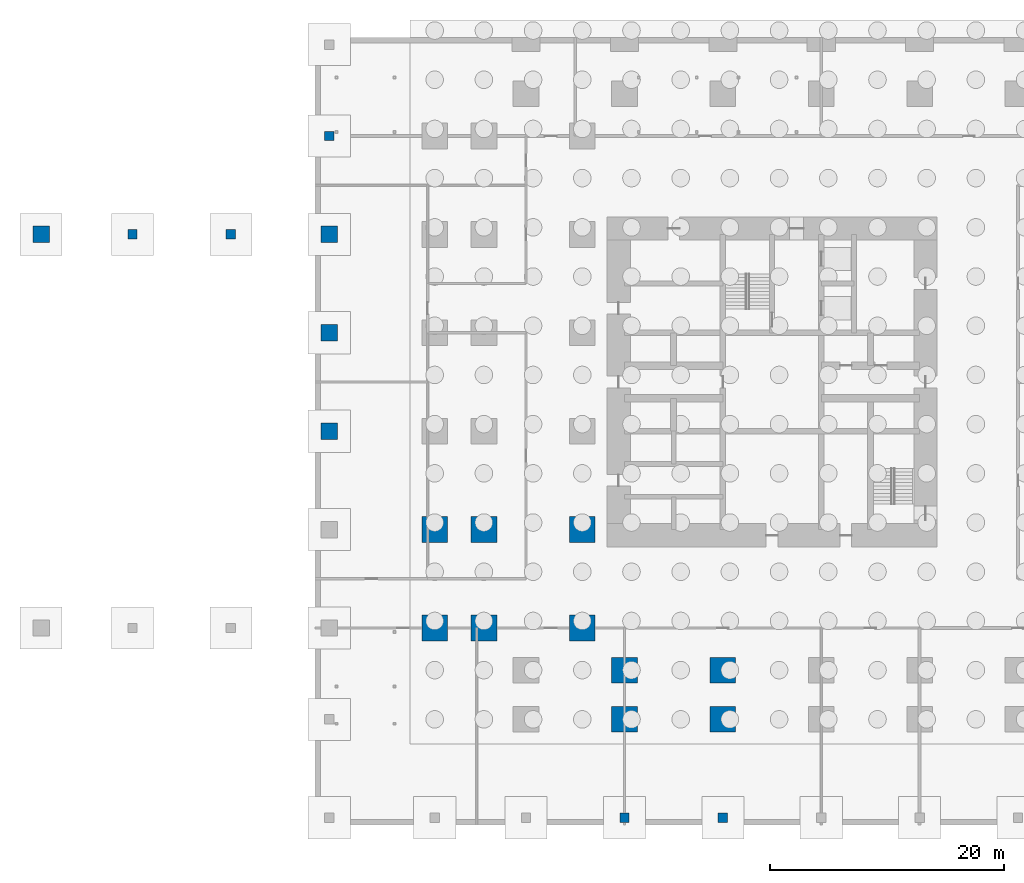
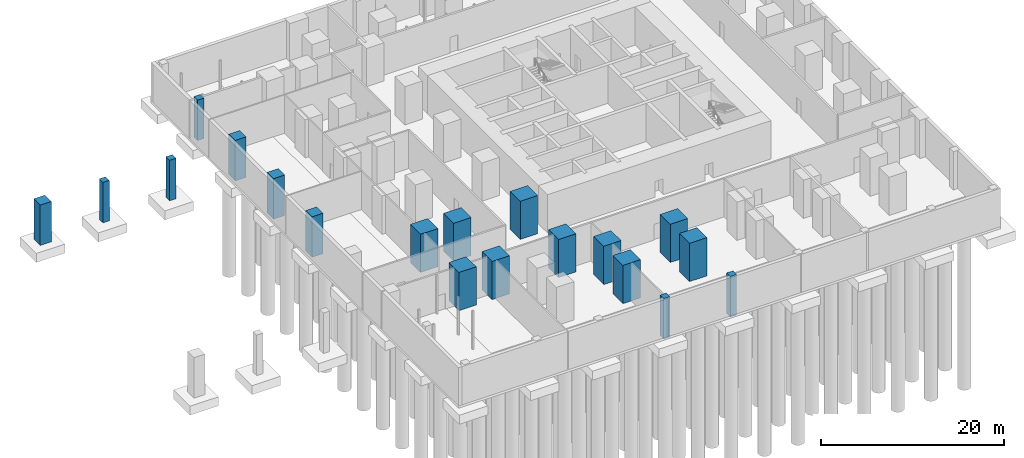
# One storey, part 5 of 18: 19 columns.
"""IFC4 building model written with IfcOpenShell, lengths in metres."""

from ifc_helpers import new_model, si_unit, direction, frame, origin, origin_2d, place, context, subcontext, project, spatial, rectangle, extrude, material, material_profile, profile_set, type_object, element, save


model = new_model("IFC4")

# Units and contexts
model_context = context("Model", 3, precision=1e-05, world=origin(), true_north=direction((0.0, 1.0)))
body_context = subcontext(model_context, "Body", "Model", "MODEL_VIEW")
ifc_project = project(units=[si_unit("LENGTHUNIT", "METRE"), si_unit("AREAUNIT", "SQUARE_METRE"), si_unit("VOLUMEUNIT", "CUBIC_METRE"), si_unit("PLANEANGLEUNIT", "RADIAN"), si_unit("MASSUNIT", "GRAM", prefix="KILO")], contexts=[model_context])

# Site, building, storey
site_placement = place(None, origin())
site = spatial("IfcSite", under=ifc_project, at=site_placement, CompositionType="ELEMENT")
building_placement = place(site_placement, origin())
building = spatial("IfcBuilding", under=site, at=building_placement, Name="Dunama Terrace Hotel", CompositionType="ELEMENT")
storey_placement = place(building_placement, frame((0.0, 0.0, -5.39990234375)))
storey = spatial("IfcBuildingStorey", under=building, at=storey_placement, Name="B1", CompositionType="ELEMENT", Elevation=-5.39990234375)

# Columns
ifc_material_1 = material(Name="Concrete C50/60", Category="concrete")
ifc_material_profile_1 = material_profile(ifc_material_1, rectangle(XDim=1.39990234375, YDim=1.39990234375, at=origin_2d()), Name="RC 1400x1400")
ifc_profile_set_1 = profile_set([ifc_material_profile_1], Name="Concrete C50/60")
column_type_1 = type_object("IfcColumnType", Name="Column RC 1400x1400", PredefinedType="COLUMN", material=ifc_profile_set_1)
for number, where, z_axis, x_axis, name in (
    (1, (-33.0, 42.0, -0.300048828125), (0.0, 0.0, 1.0), (1.0, 0.0, 0.0), "Column B1 -33.0/+42.0"),
    (2, (-8.39990234375, 25.199951171875, -0.300048828125), (0.0, 0.0, 1.0), (1.0, 0.0, 0.0), "Column B1 -8.4/+25.2"),
    (3, (-8.39990234375, 33.60009765625, -0.300048828125), (0.0, 0.0, 1.0), (1.0, 0.0, 0.0), "Column B1 -8.4/+33.6"),
    (4, (-8.39990234375, 42.0, -0.300048828125), (0.0, 0.0, 1.0), (1.0, 0.0, 0.0), "Column B1 -8.4/+42.0"),
):
    element("IfcColumn", number, at=place(storey_placement, frame(where, z_axis=z_axis, x_axis=x_axis)), inside=storey, type_object=column_type_1, Name=name, PredefinedType="COLUMN", context=body_context, shape_type="SweptSolid", body=[
        extrude(rectangle(XDim=1.39990234375, YDim=1.39990234375, at=origin_2d()), origin(), (0.0, 0.0, 1.0), 5.39990234375),
    ])
ifc_material_2 = material(Name="Concrete C60/75", Category="concrete")
ifc_material_profile_2 = material_profile(ifc_material_2, rectangle(XDim=2.199951171875, YDim=2.199951171875, at=origin_2d()), Name="RC 2200x2200")
ifc_profile_set_2 = profile_set([ifc_material_profile_2], Name="Concrete C60/75")
column_type_2 = type_object("IfcColumnType", Name="Column RC 2200x2200", PredefinedType="COLUMN", material=ifc_profile_set_2)
for number, where, z_axis, x_axis, name in (
    (5, (0.60009765625, 8.39990234375, 0.0), (0.0, 0.0, 1.0), (1.0, 0.0, 0.0), "Column B1 +0.6/+8.4"),
    (6, (0.60009765625, 16.800048828125, 0.0), (0.0, 0.0, 1.0), (1.0, 0.0, 0.0), "Column B1 +0.6/+16.8"),
    (7, (4.800048828125, 8.39990234375, 0.0), (0.0, 0.0, 1.0), (1.0, 0.0, 0.0), "Column B1 +4.8/+8.4"),
    (8, (4.800048828125, 16.800048828125, 0.0), (0.0, 0.0, 1.0), (1.0, 0.0, 0.0), "Column B1 +4.8/+16.8"),
    (9, (13.199951171875, 8.39990234375, 0.0), (0.0, 0.0, 1.0), (1.0, 0.0, 0.0), "Column B1 +13.2/+8.4"),
    (10, (13.199951171875, 16.800048828125, 0.0), (0.0, 0.0, 1.0), (1.0, 0.0, 0.0), "Column B1 +13.2/+16.8"),
    (11, (16.800048828125, 0.60009765625, 0.0), (0.0, 0.0, 1.0), (1.0, 0.0, 0.0), "Column B1 +16.8/+0.6"),
    (12, (16.800048828125, 4.800048828125, 0.0), (0.0, 0.0, 1.0), (1.0, 0.0, 0.0), "Column B1 +16.8/+4.8"),
    (13, (25.199951171875, 0.60009765625, 0.0), (0.0, 0.0, 1.0), (1.0, 0.0, 0.0), "Column B1 +25.2/+0.6"),
    (14, (25.199951171875, 4.800048828125, 0.0), (0.0, 0.0, 1.0), (1.0, 0.0, 0.0), "Column B1 +25.2/+4.8"),
):
    element("IfcColumn", number, at=place(storey_placement, frame(where, z_axis=z_axis, x_axis=x_axis)), inside=storey, type_object=column_type_2, Name=name, PredefinedType="COLUMN", context=body_context, shape_type="SweptSolid", body=[
        extrude(rectangle(XDim=2.199951171875, YDim=2.199951171875, at=origin_2d()), origin(), (0.0, 0.0, 1.0), 5.099853515625),
    ])
ifc_material_3 = material(Name="Concrete C40/50", Category="concrete")
ifc_material_profile_3 = material_profile(ifc_material_3, rectangle(XDim=0.800048828125, YDim=0.800048828125, at=origin_2d()), Name="RC 800x800")
ifc_profile_set_3 = profile_set([ifc_material_profile_3], Name="Concrete C40/50")
column_type_3 = type_object("IfcColumnType", Name="Column RC 800x800", PredefinedType="COLUMN", material=ifc_profile_set_3)
for number, where, z_axis, x_axis, name in (
    (15, (-25.199951171875, 42.0, -0.300048828125), (0.0, 0.0, 1.0), (1.0, 0.0, 0.0), "Column B1 -25.2/+42.0"),
    (16, (-16.800048828125, 42.0, -0.300048828125), (0.0, 0.0, 1.0), (1.0, 0.0, 0.0), "Column B1 -16.8/+42.0"),
    (17, (-8.39990234375, 50.39990234375, -0.300048828125), (0.0, 0.0, 1.0), (1.0, 0.0, 0.0), "Column B1 -8.4/+50.4"),
    (18, (16.800048828125, -7.800048828125, -0.300048828125), (0.0, 0.0, 1.0), (1.0, 0.0, 0.0), "Column B1 +16.8/-7.8"),
    (19, (25.199951171875, -7.800048828125, -0.300048828125), (0.0, 0.0, 1.0), (1.0, 0.0, 0.0), "Column B1 +25.2/-7.8"),
):
    element("IfcColumn", number, at=place(storey_placement, frame(where, z_axis=z_axis, x_axis=x_axis)), inside=storey, type_object=column_type_3, Name=name, PredefinedType="COLUMN", context=body_context, shape_type="SweptSolid", body=[
        extrude(rectangle(XDim=0.800048828125, YDim=0.800048828125, at=origin_2d()), origin(), (0.0, 0.0, 1.0), 5.39990234375),
    ])

save(model, "model.ifc")
